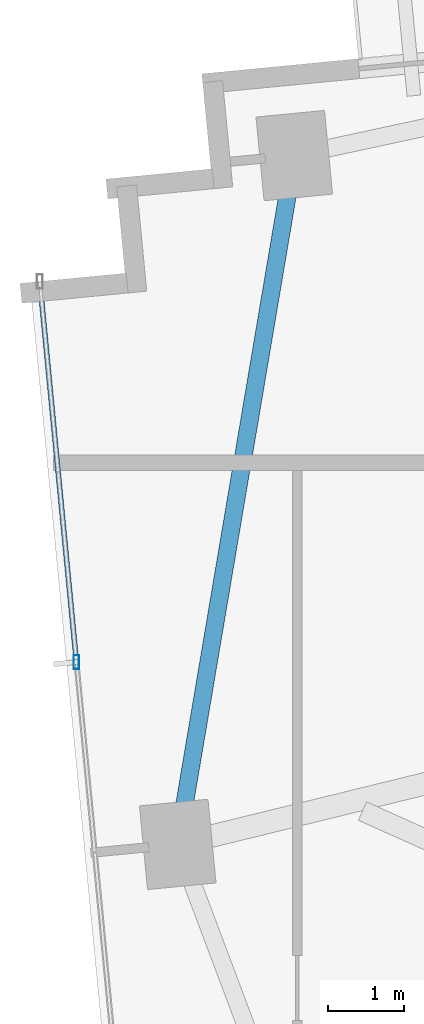
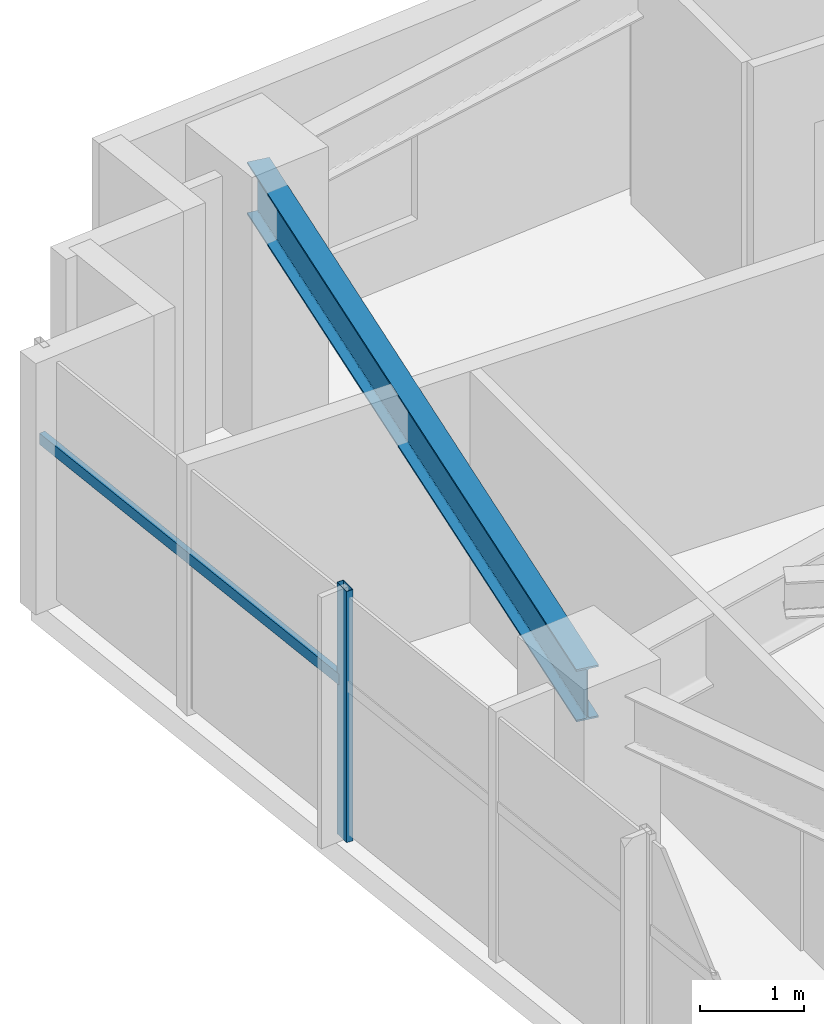
# One storey, part 4 of 27: 2 members, 1 beam, 1 element without a shape of its own.
"""IFC4 building model written with IfcOpenShell, lengths in metres."""

from ifc_helpers import new_model, si_unit, direction, frame, origin, origin_2d, place, context, subcontext, project, spatial, hollow_rectangle, i_section, extrude, source, transform, mapped, material, material_profile, profile_set, type_object, type_shapes, element, aggregate, save


model = new_model("IFC4")

# Units and contexts
model_context = context("Model", 3, precision=1e-05, world=origin(), true_north=direction((0.0, 1.0)))
body_context = subcontext(model_context, "Body", "Model", "MODEL_VIEW")
ifc_project = project(units=[si_unit("LENGTHUNIT", "METRE"), si_unit("AREAUNIT", "SQUARE_METRE"), si_unit("VOLUMEUNIT", "CUBIC_METRE"), si_unit("PLANEANGLEUNIT", "RADIAN"), si_unit("MASSUNIT", "GRAM", prefix="KILO")], contexts=[model_context])

# Site, building, storey
site_placement = place(None, origin())
site = spatial("IfcSite", under=ifc_project, at=site_placement, CompositionType="ELEMENT")
building_placement = place(site_placement, origin())
building = spatial("IfcBuilding", under=site, at=building_placement, Name="Astriad Promenade Condominiums", CompositionType="ELEMENT")
storey_placement = place(building_placement, frame((0.0, 0.0, 113.0)))
storey = spatial("IfcBuildingStorey", under=building, at=storey_placement, Name="L32", CompositionType="ELEMENT", Elevation=113.0)

# Beam
ifc_material_1 = material(Name="Steel ASTM A992 Grade 50", Category="steel")
ifc_material_profile_1 = material_profile(ifc_material_1, i_section(OverallWidth=0.22900390625, OverallDepth=0.612060546875, WebThickness=0.011962890625, FlangeThickness=0.01953125, FilletRadius=0.017822265625, at=origin_2d()), Name="W24X84")
ifc_profile_set_1 = profile_set([ifc_material_profile_1], Name="Steel ASTM A992 Grade 50")
beam_type = type_object("IfcBeamType", Name="STEEL SPANDREL BEAM W24X84", PredefinedType="SPANDREL", material=ifc_profile_set_1)
shared_shape_1 = source(origin(), body_context, "Body", "SweptSolid", [
    extrude(i_section(OverallWidth=0.22900390625, OverallDepth=0.612060546875, WebThickness=0.011962890625, FlangeThickness=0.01953125, FilletRadius=0.017822265625, at=origin_2d()), origin(), (0.0, 0.0, 1.0), 9.055419921875),
])
type_shapes(beam_type, [shared_shape_1])
beam_placement = place(storey_placement, frame((12.2685546875, 22.52880859375, 2.6337890625), z_axis=(-0.166776851291, -0.98599466625, 0.0), x_axis=(0.98599466625, -0.166776851291, 0.0)))
element("IfcBeam", 1, at=beam_placement, inside=storey, type_object=beam_type, Name="Perimeter Spandrel Beam SP-W2-L32", PredefinedType="SPANDREL", context=body_context, shape_type="MappedRepresentation", body=[
    mapped(shared_shape_1, transform((0.0, 0.0, 0.0), scale=1.0)),
])

# Curtain wall, members
ifc_material_2 = material(Name="Anodised aluminium Black Dark Glass Unitised", Category="aluminium")
curtain_wall_type = type_object("IfcCurtainWallType", Name="CW-B2-DARK", PredefinedType="USERDEFINED", material=ifc_material_2)
curtain_wall_placement = place(storey_placement, origin())
curtain_wall = element("IfcCurtainWall", 2, at=curtain_wall_placement, inside=storey, type_object=curtain_wall_type, Name="CW-L32-W", ObjectType="UNITISED_CURTAIN_WALL", PredefinedType="USERDEFINED")
ifc_material_3 = material(Name="Anodised aluminium 6063-T6 Black", Category="aluminium")
ifc_material_profile_2 = material_profile(ifc_material_3, hollow_rectangle(XDim=0.074951171875, YDim=0.18505859375, WallThickness=0.00439453125, at=origin_2d()), Name="ALU-MUL-75X185")
ifc_profile_set_2 = profile_set([ifc_material_profile_2], Name="Anodised aluminium 6063-T6 Black")
member_type_1 = type_object("IfcMemberType", Name="MUL-ALU-MUL-75X185", PredefinedType="MULLION", material=ifc_profile_set_2)
shared_shape_2 = source(origin(), body_context, "Body", "SweptSolid", [
    extrude(hollow_rectangle(XDim=0.074951171875, YDim=0.18505859375, WallThickness=0.00439453125, at=origin_2d()), origin(), (0.0, 0.0, 1.0), 2.93994140625),
])
type_shapes(member_type_1, [shared_shape_2])
member_1_placement = place(storey_placement, frame((9.427001953125, 15.94482421875, 0.0), z_axis=(0.0, 0.0, 1.0), x_axis=(1.0, 0.0, 0.0)))
member_1 = element("IfcMember", 3, at=member_1_placement, type_object=member_type_1, Name="CW-L32-W-MUL-02", PredefinedType="MULLION", context=body_context, shape_type="MappedRepresentation", body=[
    mapped(shared_shape_2, transform((0.0, 0.0, 0.0), scale=1.0)),
])
ifc_material_profile_3 = material_profile(ifc_material_3, hollow_rectangle(XDim=0.06494140625, YDim=0.1298828125, WallThickness=0.00390625, at=origin_2d()), Name="ALU-TRN-65X130")
ifc_profile_set_3 = profile_set([ifc_material_profile_3], Name="Anodised aluminium 6063-T6 Black")
member_type_2 = type_object("IfcMemberType", Name="TRN-ALU-TRN-65X130", PredefinedType="USERDEFINED", material=ifc_profile_set_3)
shared_shape_3 = source(origin(), body_context, "Body", "SweptSolid", [
    extrude(hollow_rectangle(XDim=0.06494140625, YDim=0.1298828125, WallThickness=0.00390625, at=origin_2d()), origin(), (0.0, 0.0, 1.0), 5.0),
])
type_shapes(member_type_2, [shared_shape_3])
member_2_placement = place(storey_placement, frame((9.427001953125, 15.94482421875, 1.82275390625), z_axis=(-0.095848242264, 0.995395958629, 0.0), x_axis=(-0.995395958629, -0.095848242264, 0.0)))
member_2 = element("IfcMember", 4, at=member_2_placement, type_object=member_type_2, Name="CW-L32-W-TRN-02-0", ObjectType="TRANSOM", PredefinedType="USERDEFINED", context=body_context, shape_type="MappedRepresentation", body=[
    mapped(shared_shape_3, transform((0.0, 0.0, 0.0), scale=1.0)),
])
aggregate(curtain_wall, [member_1, member_2])

save(model, "model.ifc")
